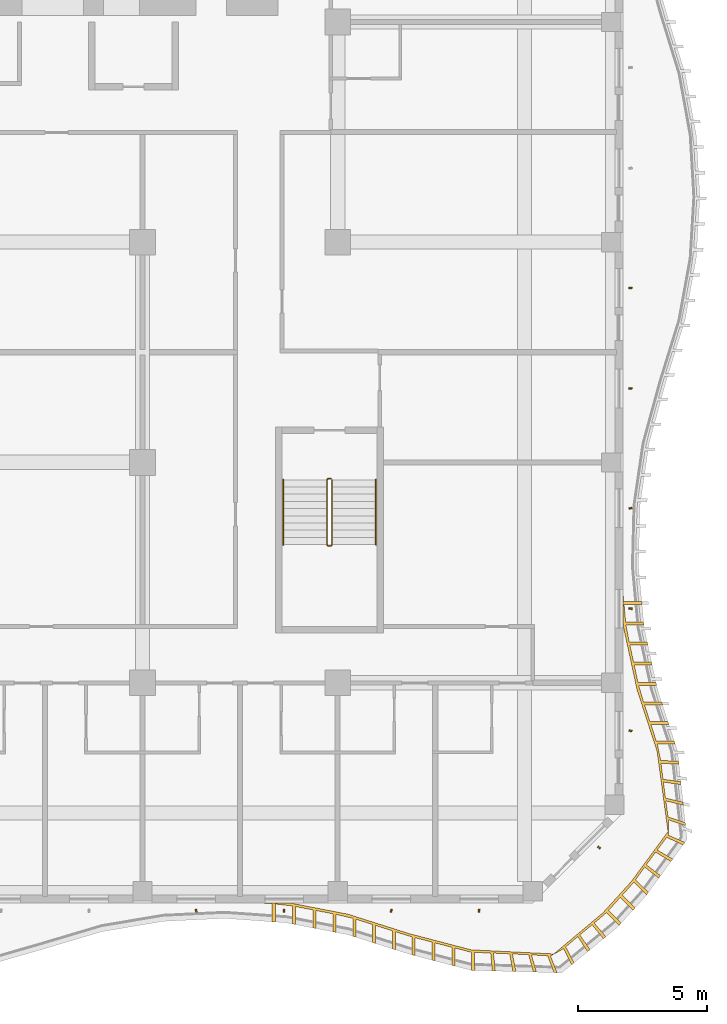
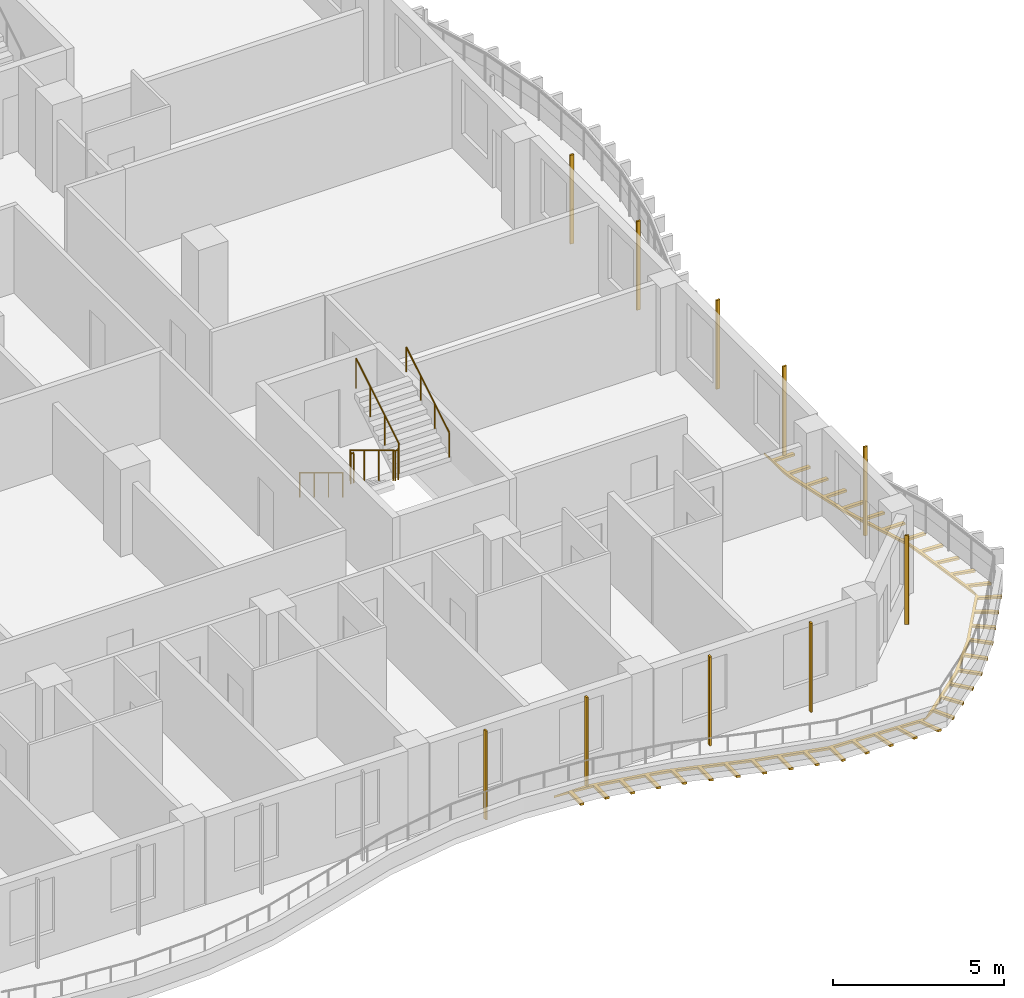
# One storey, part 19 of 23: 11 shading devices, 3 railings.
"""IFC4 building model written with IfcOpenShell, lengths in metres."""

from ifc_helpers import new_model, si_unit, direction, frame, origin, origin_2d, place, context, subcontext, project, spatial, polyline, rectangle, circle, outline, extrude, source, transform, mapped, material, layer, layer_set, material_profile, profile_set, type_object, element, save


model = new_model("IFC4")

# Units and contexts
model_context = context("Model", 3, precision=1e-05, world=origin(), true_north=direction((0.0, 1.0)))
body_context = subcontext(model_context, "Body", "Model", "MODEL_VIEW")
ifc_project = project(units=[si_unit("LENGTHUNIT", "METRE"), si_unit("AREAUNIT", "SQUARE_METRE"), si_unit("VOLUMEUNIT", "CUBIC_METRE"), si_unit("PLANEANGLEUNIT", "RADIAN"), si_unit("MASSUNIT", "GRAM", prefix="KILO")], contexts=[model_context])

# Site, building, storey
site_placement = place(None, origin())
site = spatial("IfcSite", under=ifc_project, at=site_placement, CompositionType="ELEMENT")
building_placement = place(site_placement, origin())
building = spatial("IfcBuilding", under=site, at=building_placement, Name="Kilnfold Tower and Market Hall", CompositionType="ELEMENT")
storey_placement = place(building_placement, frame((0.0, 0.0, 203.300048828125)))
storey = spatial("IfcBuildingStorey", under=building, at=storey_placement, Name="L49", CompositionType="ELEMENT", Elevation=203.300048828125)

# Railings
ifc_material_1 = material(Name="Stainless steel 316", Category="steel")
railing_type_1 = type_object("IfcRailingType", Name="CORE STAIR GUARD 1100", PredefinedType="GUARDRAIL", material=ifc_material_1)
railing_1_placement = place(storey_placement, frame((19.89990234375, -9.75, 0.0)))
element("IfcRailing", 1, at=railing_1_placement, inside=storey, type_object=railing_type_1, Name="L49 ST4 stair guard 1", PredefinedType="GUARDRAIL", context=body_context, shape_type="SweptSolid", body=[
    extrude(circle(Radius=0.02392578125, at=origin_2d()), frame((0.0, 0.0, 1.076171875), z_axis=(-1.0, 0.0, 0.0), x_axis=(0.0, -1.0, 0.0)), (0.0, 0.0, 1.0), 0.099853515625),
    extrude(circle(Radius=0.02392578125, at=origin_2d()), frame((-0.099853515625, 0.0, 1.076171875), z_axis=(-0.271895245746, -0.271895245746, 0.923117517265), x_axis=(0.707106781187, -0.707106781187, 0.0)), (0.0, 0.0, 1.0), 0.18408203125),
    extrude(circle(Radius=0.02392578125, at=origin_2d()), frame((-0.14990234375, -0.050048828125, 1.24609375), z_axis=(0.0, -0.85478489116, 0.518982456201), x_axis=(1.0, 0.0, 0.0)), (0.0, 0.0, 1.0), 2.9482421875),
    extrude(circle(Radius=0.02392578125, at=origin_2d()), frame((-0.14990234375, -2.570068359375, 2.77587890625), z_axis=(0.707106781187, -0.707106781187, 0.0), x_axis=(0.707106781187, 0.707106781187, 0.0)), (0.0, 0.0, 1.0), 0.07080078125),
    extrude(circle(Radius=0.02392578125, at=origin_2d()), frame((-0.099853515625, -2.6201171875, 2.77587890625), z_axis=(1.0, 0.0, 0.0), x_axis=(0.0, 1.0, 0.0)), (0.0, 0.0, 1.0), 0.099853515625),
    extrude(circle(Radius=0.02392578125, at=origin_2d()), frame((0.0, -2.6201171875, 2.77587890625), z_axis=(0.271895245746, 0.271895245746, 0.923117517265), x_axis=(-0.707106781187, 0.707106781187, 0.0)), (0.0, 0.0, 1.0), 0.18408203125),
    extrude(circle(Radius=0.02392578125, at=origin_2d()), frame((0.050048828125, -2.570068359375, 2.94580078125), z_axis=(0.0, 0.85478489116, 0.518982456201), x_axis=(-1.0, 0.0, 0.0)), (0.0, 0.0, 1.0), 2.9482421875),
    extrude(circle(Radius=0.02099609375, at=origin_2d()), origin(), (0.0, 0.0, 1.0), 1.052001953125),
    extrude(circle(Radius=0.02099609375, at=origin_2d()), frame((-0.099853515625, 0.0, 0.0)), (0.0, 0.0, 1.0), 1.052001953125),
    extrude(circle(Radius=0.02099609375, at=origin_2d()), frame((-0.14990234375, -0.050048828125, 0.169921875)), (0.0, 0.0, 1.0), 1.052001953125),
    extrude(circle(Radius=0.02099609375, at=origin_2d()), frame((-0.14990234375, -0.89013671875, 0.679931640625)), (0.0, 0.0, 1.0), 1.052001953125),
    extrude(circle(Radius=0.02099609375, at=origin_2d()), frame((-0.14990234375, -1.72998046875, 1.18994140625)), (0.0, 0.0, 1.0), 1.052001953125),
    extrude(circle(Radius=0.02099609375, at=origin_2d()), frame((-0.14990234375, -2.570068359375, 1.699951171875)), (0.0, 0.0, 1.0), 1.052001953125),
    extrude(circle(Radius=0.02099609375, at=origin_2d()), frame((-0.099853515625, -2.6201171875, 1.699951171875)), (0.0, 0.0, 1.0), 1.052001953125),
    extrude(circle(Radius=0.02099609375, at=origin_2d()), frame((0.0, -2.6201171875, 1.699951171875)), (0.0, 0.0, 1.0), 1.052001953125),
    extrude(circle(Radius=0.02099609375, at=origin_2d()), frame((0.050048828125, -2.570068359375, 1.869873046875)), (0.0, 0.0, 1.0), 1.052001953125),
    extrude(circle(Radius=0.02099609375, at=origin_2d()), frame((0.050048828125, -1.72998046875, 2.3798828125)), (0.0, 0.0, 1.0), 1.052001953125),
    extrude(circle(Radius=0.02099609375, at=origin_2d()), frame((0.050048828125, -0.89013671875, 2.889892578125)), (0.0, 0.0, 1.0), 1.052001953125),
    extrude(circle(Radius=0.02099609375, at=origin_2d()), frame((0.050048828125, -0.050048828125, 3.39990234375)), (0.0, 0.0, 1.0), 1.052001953125),
])
ifc_material_2 = material(Name="Stainless steel 316", Category="steel")
railing_type_2 = type_object("IfcRailingType", Name="CORE STAIR HANDRAIL 900", PredefinedType="HANDRAIL", material=ifc_material_2)
railing_2_placement = place(storey_placement, frame((18.050048828125, -9.800048828125, 0.169921875)))
element("IfcRailing", 2, at=railing_2_placement, inside=storey, type_object=railing_type_2, Name="L49 ST4 stair handrail 1", PredefinedType="HANDRAIL", context=body_context, shape_type="SweptSolid", body=[
    extrude(circle(Radius=0.02392578125, at=origin_2d()), frame((0.0, 0.0, 0.8759765625), z_axis=(0.0, -0.85478489116, 0.518982456201), x_axis=(1.0, 0.0, 0.0)), (0.0, 0.0, 1.0), 2.9482421875),
    extrude(circle(Radius=0.02099609375, at=origin_2d()), origin(), (0.0, 0.0, 1.0), 0.851806640625),
    extrude(circle(Radius=0.02099609375, at=origin_2d()), frame((0.0, -0.840087890625, 0.510009765625)), (0.0, 0.0, 1.0), 0.851806640625),
    extrude(circle(Radius=0.02099609375, at=origin_2d()), frame((0.0, -1.679931640625, 1.02001953125)), (0.0, 0.0, 1.0), 0.851806640625),
    extrude(circle(Radius=0.02099609375, at=origin_2d()), frame((0.0, -2.52001953125, 1.530029296875)), (0.0, 0.0, 1.0), 0.851806640625),
])
railing_3_placement = place(storey_placement, frame((21.64990234375, -12.320068359375, 1.869873046875)))
element("IfcRailing", 3, at=railing_3_placement, inside=storey, type_object=railing_type_2, Name="L49 ST4 stair handrail 2", PredefinedType="HANDRAIL", context=body_context, shape_type="SweptSolid", body=[
    extrude(circle(Radius=0.02392578125, at=origin_2d()), frame((0.0, 0.0, 0.8759765625), z_axis=(0.0, 0.85478489116, 0.518982456201), x_axis=(-1.0, 0.0, 0.0)), (0.0, 0.0, 1.0), 2.9482421875),
    extrude(circle(Radius=0.02099609375, at=origin_2d()), origin(), (0.0, 0.0, 1.0), 0.851806640625),
    extrude(circle(Radius=0.02099609375, at=origin_2d()), frame((0.0, 0.840087890625, 0.510009765625)), (0.0, 0.0, 1.0), 0.851806640625),
    extrude(circle(Radius=0.02099609375, at=origin_2d()), frame((0.0, 1.679931640625, 1.02001953125)), (0.0, 0.0, 1.0), 0.851806640625),
    extrude(circle(Radius=0.02099609375, at=origin_2d()), frame((0.0, 2.52001953125, 1.530029296875)), (0.0, 0.0, 1.0), 0.851806640625),
])

# Shading devices
ifc_material_3 = material(Name="Terracotta", Category="masonry")
ifc_material_profile = material_profile(ifc_material_3, rectangle(XDim=0.06005859375, YDim=0.1201171875, at=origin_2d()), Name="BAG 60x120")
ifc_profile_set = profile_set([ifc_material_profile], Name="Terracotta")
shading_device_type_1 = type_object("IfcShadingDeviceType", Name="BAGUETTE", PredefinedType="USERDEFINED", material=ifc_profile_set)
shared_shape_1 = source(origin(), body_context, "Body", "SweptSolid", [
    extrude(rectangle(XDim=0.06005859375, YDim=0.1201171875, at=origin_2d()), origin(), (0.0, 0.0, 1.0), 3.179931640625),
])
for number, where, z_axis, x_axis, name in (
    (4, (14.666748046875, -26.550048828125, 0.0), (0.0, 0.0, 1.0), (0.994310090189, 0.106524384757, 0.0), "Terracotta baguette L49 S"),
    (5, (18.083251953125, -26.550048828125, 0.0), (0.0, 0.0, 1.0), (0.995589515805, 0.093816395263, 0.0), "Terracotta baguette L49 S"),
    (6, (22.25, -26.550048828125, 0.0), (0.0, 0.0, 1.0), (0.992023220747, -0.126055263666, 0.0), "Terracotta baguette L49 S"),
    (7, (25.666748046875, -26.550048828125, 0.0), (0.0, 0.0, 1.0), (0.997951280951, -0.063978440502, 0.0), "Terracotta baguette L49 S"),
    (8, (30.329833984375, -24.094482421875, 0.0), (0.0, 0.0, 1.0), (0.610183881749, 0.792259825091, 0.0), "Terracotta baguette L49 SE"),
    (9, (31.550048828125, -19.556884765625, 0.0), (0.0, 0.0, 1.0), (0.115048110579, 0.9933599208, 0.0), "Terracotta baguette L49 E"),
    (10, (31.550048828125, -14.8125, 0.0), (0.0, 0.0, 1.0), (0.005684506759, 0.999983843061, 0.0), "Terracotta baguette L49 E"),
    (11, (31.550048828125, -10.90625, 0.0), (0.0, 0.0, 1.0), (-0.137788562003, 0.990461666185, 0.0), "Terracotta baguette L49 E"),
    (12, (31.550048828125, -6.25, 0.0), (0.0, 0.0, 1.0), (0.085559516211, 0.996333061373, 0.0), "Terracotta baguette L49 E"),
    (13, (31.550048828125, -2.34375, 0.0), (0.0, 0.0, 1.0), (0.092768551702, 0.995687699942, 0.0), "Terracotta baguette L49 E"),
):
    element("IfcShadingDevice", number, at=place(storey_placement, frame(where, z_axis=z_axis, x_axis=x_axis)), inside=storey, type_object=shading_device_type_1, Name=name, ObjectType="BAGUETTE", PredefinedType="USERDEFINED", context=body_context, shape_type="MappedRepresentation", body=[
        mapped(shared_shape_1, transform((0.0, 0.0, 0.0))),
    ])
ifc_material_4 = material(Name="Bronze anodised aluminium", Category="aluminium")
ifc_layer = layer(ifc_material_4, 0.080078125)
ifc_layer_set = layer_set([ifc_layer], Name="Bronze anodised aluminium")
shading_device_type_2 = type_object("IfcShadingDeviceType", Name="BRONZE SLAT SOFFIT 80", PredefinedType="USERDEFINED", material=ifc_layer_set)
shared_shape_2 = source(origin(), body_context, "Body", "SweptSolid", [
    extrude(outline(polyline([(20.56591796875, -26.6865234375), (22.96044921875, -27.44580078125), (25.355224609375, -28.0712890625), (28.57080078125, -28.231201171875), (30.471923828125, -26.638427734375), (31.581787109375, -25.415283203125), (33.00732421875, -23.477783203125), (32.58349609375, -20.355224609375), (31.80419921875, -17.96044921875), (31.284912109375, -15.56591796875), (31.25, -15.19287109375), (31.25, -14.12158203125), (31.287841796875, -14.526611328125), (31.98779296875, -14.526611328125), (31.9990234375, -14.64599609375), (31.299072265625, -14.64599609375), (31.3623046875, -15.3232421875), (32.062255859375, -15.3232421875), (32.0732421875, -15.442626953125), (31.373291015625, -15.442626953125), (31.502685546875, -16.109619140625), (32.20263671875, -16.109619140625), (32.22802734375, -16.226806640625), (31.528076171875, -16.226806640625), (31.672119140625, -16.891357421875), (32.372314453125, -16.891357421875), (32.397705078125, -17.008544921875), (31.69775390625, -17.008544921875), (31.841796875, -17.673095703125), (32.541748046875, -17.673095703125), (32.567138671875, -17.790283203125), (31.8671875, -17.790283203125), (32.060791015625, -18.441650390625), (32.7607421875, -18.441650390625), (32.7978515625, -18.5556640625), (32.097900390625, -18.5556640625), (32.308349609375, -19.202392578125), (33.00830078125, -19.202392578125), (33.04541015625, -19.31640625), (32.345458984375, -19.31640625), (32.555908203125, -19.963134765625), (33.255859375, -19.963134765625), (33.29296875, -20.0771484375), (32.593017578125, -20.0771484375), (32.724853515625, -20.710205078125), (33.42431640625, -20.74072265625), (33.43701171875, -20.860107421875), (32.738037109375, -20.8203125), (32.814697265625, -21.4423828125), (33.508544921875, -21.5361328125), (33.52099609375, -21.655517578125), (32.828857421875, -21.552001953125), (32.91064453125, -22.17431640625), (33.5927734375, -22.331787109375), (33.605224609375, -22.451171875), (32.925537109375, -22.2841796875), (33.01220703125, -22.908203125), (33.677001953125, -23.127197265625), (33.689453125, -23.24658203125), (33.02783203125, -23.0185546875), (33.02294921875, -23.6162109375), (33.664306640625, -23.89697265625), (33.593505859375, -23.993896484375), (32.957275390625, -23.702392578125), (32.588623046875, -24.191162109375), (33.193359375, -24.543701171875), (33.122802734375, -24.640869140625), (32.5244140625, -24.277587890625), (32.1630859375, -24.77001953125), (32.72265625, -25.190673828125), (32.652099609375, -25.28759765625), (32.10009765625, -24.857177734375), (31.74462890625, -25.35498046875), (32.251953125, -25.83740234375), (32.181396484375, -25.934326171875), (31.682373046875, -25.443603515625), (31.234130859375, -25.947021484375), (31.729248046875, -26.44189453125), (31.648681640625, -26.53076171875), (31.153564453125, -26.035888671875), (30.69677734375, -26.53955078125), (31.191650390625, -27.034423828125), (31.111083984375, -27.123291015625), (30.615966796875, -26.62841796875), (30.1416015625, -27.03271484375), (30.595703125, -27.5654296875), (30.502685546875, -27.641357421875), (30.0576171875, -27.10107421875), (29.585205078125, -27.490966796875), (29.976318359375, -28.07177734375), (29.88330078125, -28.147705078125), (29.50244140625, -27.560302734375), (29.0341796875, -27.956787109375), (29.356689453125, -28.577880859375), (29.263916015625, -28.65380859375), (28.951904296875, -28.02734375), (28.441650390625, -28.3134765625), (28.69677734375, -28.965087890625), (28.576904296875, -28.9619140625), (28.330322265625, -28.306640625), (27.70068359375, -28.27099609375), (27.897216796875, -28.94287109375), (27.777099609375, -28.939453125), (27.58984375, -28.264892578125), (26.96240234375, -28.2333984375), (27.097412109375, -28.92041015625), (26.9775390625, -28.9169921875), (26.851806640625, -28.228271484375), (26.22509765625, -28.20166015625), (26.2978515625, -28.897705078125), (26.177734375, -28.894287109375), (26.114501953125, -28.197265625), (25.4873046875, -28.17529296875), (25.498046875, -28.875244140625), (25.378173828125, -28.871826171875), (25.37646484375, -28.171875), (24.719482421875, -28.005126953125), (24.719482421875, -28.705078125), (24.603515625, -28.6748046875), (24.603515625, -27.974853515625), (23.9453125, -27.802978515625), (23.9453125, -28.503173828125), (23.829345703125, -28.47265625), (23.829345703125, -27.772705078125), (23.17138671875, -27.600830078125), (23.17138671875, -28.30078125), (23.055419921875, -28.2705078125), (23.055419921875, -27.570556640625), (22.40576171875, -27.369873046875), (22.40576171875, -28.06982421875), (22.291259765625, -28.03369140625), (22.291259765625, -27.33349609375), (21.64306640625, -27.128173828125), (21.64306640625, -27.828125), (21.52880859375, -27.791748046875), (21.52880859375, -27.091796875), (20.880615234375, -26.88623046875), (20.880615234375, -27.586181640625), (20.76611328125, -27.550048828125), (20.76611328125, -26.85009765625), (20.1044921875, -26.697021484375), (20.1044921875, -27.397216796875), (19.98681640625, -27.374267578125), (19.98681640625, -26.67431640625), (19.319091796875, -26.544921875), (19.319091796875, -27.2451171875), (19.201416015625, -27.22216796875), (19.201416015625, -26.522216796875), (18.53369140625, -26.392822265625), (18.53369140625, -27.0927734375), (18.416015625, -27.06982421875), (18.416015625, -26.369873046875), (17.74169921875, -26.291748046875), (17.74169921875, -26.99169921875), (17.621826171875, -26.9833984375), (17.621826171875, -26.283203125), (17.156494140625, -26.25), (18.31298828125, -26.25), (20.56591796875, -26.6865234375)])), origin(), (0.0, 0.0, 1.0), 0.080078125),
])
shading_device_placement = place(storey_placement, frame((0.0, 0.0, -0.300048828125)))
element("IfcShadingDevice", 14, at=shading_device_placement, inside=storey, type_object=shading_device_type_2, Name="Balcony soffit slats L49", ObjectType="SLAT", PredefinedType="USERDEFINED", context=body_context, shape_type="MappedRepresentation", body=[
    mapped(shared_shape_2, transform((0.0, 0.0, 0.0))),
])

save(model, "model.ifc")
